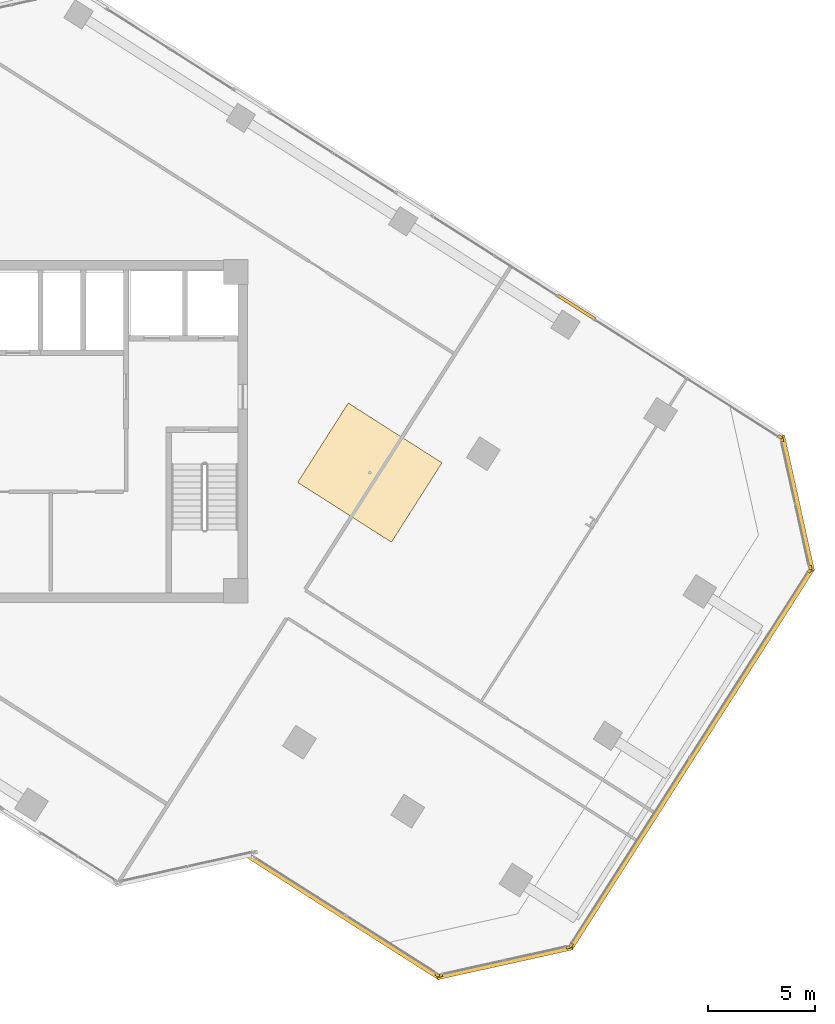
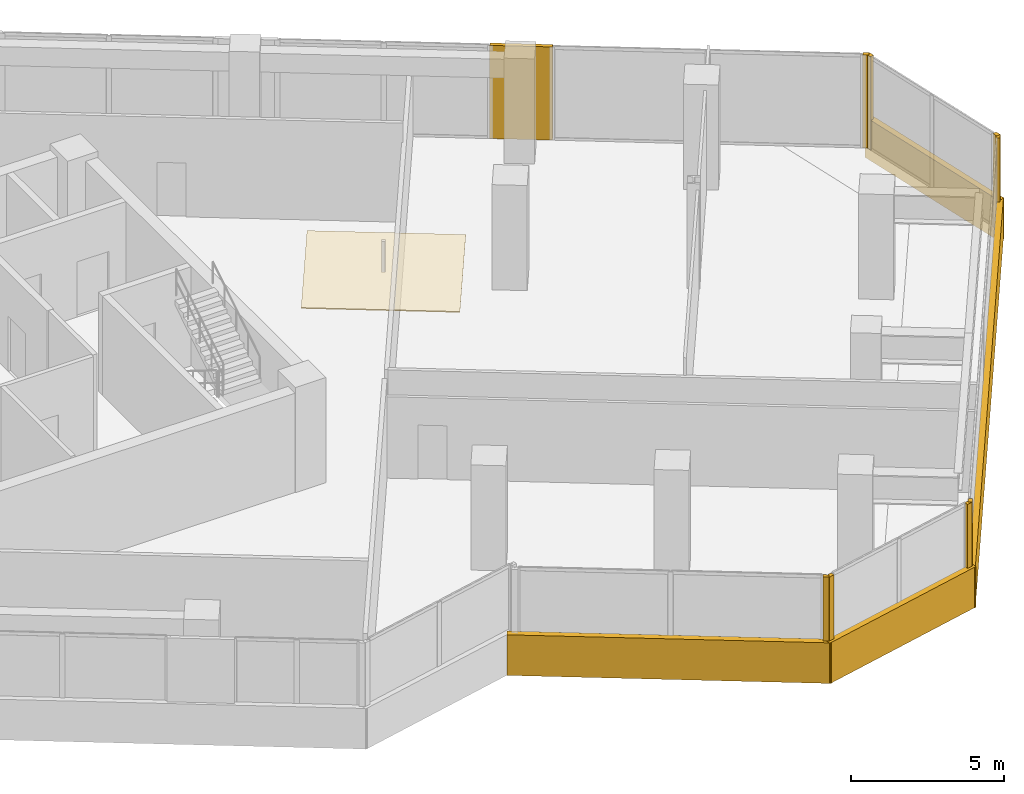
# One storey, part 22 of 23: 14 coverings.
"""IFC4 building model written with IfcOpenShell, lengths in metres."""

from ifc_helpers import new_model, si_unit, direction, frame, origin, origin_2d, place, context, subcontext, project, spatial, polyline, rectangle, outline, extrude, source, transform, mapped, material, layer, layer_set, type_object, element, save


model = new_model("IFC4")

# Units and contexts
model_context = context("Model", 3, precision=1e-05, world=origin(), true_north=direction((0.0, 1.0)))
body_context = subcontext(model_context, "Body", "Model", "MODEL_VIEW")
ifc_project = project(units=[si_unit("LENGTHUNIT", "METRE"), si_unit("AREAUNIT", "SQUARE_METRE"), si_unit("VOLUMEUNIT", "CUBIC_METRE"), si_unit("PLANEANGLEUNIT", "RADIAN"), si_unit("MASSUNIT", "GRAM", prefix="KILO")], contexts=[model_context])

# Site, building, storey
site_placement = place(None, origin())
site = spatial("IfcSite", under=ifc_project, at=site_placement, CompositionType="ELEMENT")
building_placement = place(site_placement, origin())
building = spatial("IfcBuilding", under=site, at=building_placement, Name="Torre Montelarca", CompositionType="ELEMENT")
storey_placement = place(building_placement, frame((0.0, 0.0, 187.60009765625)))
storey = spatial("IfcBuildingStorey", under=building, at=storey_placement, Name="L42", CompositionType="ELEMENT", Elevation=187.60009765625)

# Coverings
ifc_material_1 = material(Name="Perforated acoustic mineral fibre board", Category="gypsum")
ifc_layer_1 = layer(ifc_material_1, 0.0400390625, Name="Perforated acoustic mineral fibre board", Category="gypsum")
ifc_layer_set_1 = layer_set([ifc_layer_1], Name="Perforated acoustic mineral fibre board")
covering_type_1 = type_object("IfcCoveringType", Name="COV-CEIL-AC1", PredefinedType="CEILING", material=ifc_layer_set_1)
covering_1_placement = place(storey_placement, frame((0.0, 0.0, 2.719970703125)))
element("IfcCovering", 1, at=covering_1_placement, inside=storey, type_object=covering_type_1, Name="L42 Acoustic Suspended Ceiling 01", PredefinedType="CEILING", context=body_context, shape_type="SweptSolid", body=[
    extrude(outline(polyline([(29.344970703125, 29.61083984375), (33.73046875, 26.81689453125), (36.094482421875, 30.52783203125), (31.708984375, 33.32177734375), (29.344970703125, 29.61083984375)])), origin(), (0.0, 0.0, 1.0), 0.0400390625),
])
ifc_material_2 = material(Name="Bush-hammered warm white precast concrete C45/55", Category="concrete")
ifc_layer_2 = layer(ifc_material_2, 0.139892578125, Name="Bush-hammered warm white precast concrete C45/55", Category="concrete")
ifc_layer_set_2 = layer_set([ifc_layer_2], Name="Bush-hammered warm white precast concrete C45/55")
covering_type_2 = type_object("IfcCoveringType", Name="COV-TRAY-CLAD", PredefinedType="CLADDING", material=ifc_layer_set_2)
shared_shape_1 = source(origin(), body_context, "Body", "SweptSolid", [
    extrude(rectangle(XDim=6.48388671875, YDim=0.219970703125, at=origin_2d()), origin(), (0.0, 0.0, 1.0), 1.6201171875),
])
for number, where, z_axis, x_axis, name in (
    (2, (39.029296875, 7.1630859375, -0.4501953125), (0.0, 0.0, 1.0), (0.976292984958, 0.216453245581, 0.0), "L42 Architectural White Spandrel Tray Band TRYBOT-05"),
    (3, (52.70751953125, 28.6337890625, -0.4501953125), (0.0, 0.0, 1.0), (-0.21643790998, 0.976296384877, 0.0), "L42 Architectural White Spandrel Tray Band TRYBOT-07"),
):
    element("IfcCovering", number, at=place(storey_placement, frame(where, z_axis=z_axis, x_axis=x_axis)), inside=storey, type_object=covering_type_2, Name=name, PredefinedType="CLADDING", context=body_context, shape_type="MappedRepresentation", body=[
        mapped(shared_shape_1, transform((0.0, 0.0, 0.0), scale=1.0)),
    ])
shared_shape_2 = source(origin(), body_context, "Body", "SweptSolid", [
    extrude(rectangle(XDim=21.1201171875, YDim=0.219970703125, at=origin_2d()), origin(), (0.0, 0.0, 1.0), 1.6201171875),
])
covering_2_placement = place(storey_placement, frame((47.758544921875, 16.6943359375, -0.4501953125), z_axis=(0.0, 0.0, 1.0), x_axis=(0.537299608347, 0.843391445813, 0.0)))
element("IfcCovering", 4, at=covering_2_placement, inside=storey, type_object=covering_type_2, Name="L42 Architectural White Spandrel Tray Band TRYBOT-06", PredefinedType="CLADDING", context=body_context, shape_type="MappedRepresentation", body=[
    mapped(shared_shape_2, transform((0.0, 0.0, 0.0), scale=1.0)),
])
shared_shape_3 = source(origin(), body_context, "Body", "SweptSolid", [
    extrude(rectangle(XDim=0.199951171875, YDim=0.139892578125, at=origin_2d()), origin(), (0.0, 0.0, 1.0), 3.719970703125),
])
for number, where, z_axis, x_axis, name in (
    (5, (35.879638671875, 6.583251953125, 0.0), (0.0, 0.0, 1.0), (0.843384881397, -0.537309912277, 0.0), "L42 Architectural Column Pier Cladding E04-2"),
    (6, (36.022705078125, 6.55810546875, 0.0), (0.0, 0.0, 1.0), (0.976293362738, 0.216451541628, 0.0), "L42 Architectural Column Pier Cladding E05-1"),
    (7, (42.009521484375, 7.885498046875, 0.0), (0.0, 0.0, 1.0), (0.976293362738, 0.216451541628, 0.0), "L42 Architectural Column Pier Cladding E05-2"),
    (8, (42.12841796875, 7.96875, 0.0), (0.0, 0.0, 1.0), (0.537302552335, 0.843389570278, 0.0), "L42 Architectural Column Pier Cladding E06-1"),
    (9, (53.287353515625, 25.484375, 0.0), (0.0, 0.0, 1.0), (0.537302552335, 0.843389570278, 0.0), "L42 Architectural Column Pier Cladding E06-2"),
    (10, (53.3125, 25.62744140625, 0.0), (0.0, 0.0, 1.0), (-0.216436206021, 0.976296762631, 0.0), "L42 Architectural Column Pier Cladding E07-1"),
    (11, (51.9853515625, 31.6142578125, 0.0), (0.0, 0.0, 1.0), (-0.216436206021, 0.976296762631, 0.0), "L42 Architectural Column Pier Cladding E07-2"),
    (12, (51.902099609375, 31.733154296875, 0.0), (0.0, 0.0, 1.0), (-0.843390508047, 0.537301080342, 0.0), "L42 Architectural Column Pier Cladding E08-1"),
):
    element("IfcCovering", number, at=place(storey_placement, frame(where, z_axis=z_axis, x_axis=x_axis)), inside=storey, type_object=covering_type_2, Name=name, PredefinedType="CLADDING", context=body_context, shape_type="MappedRepresentation", body=[
        mapped(shared_shape_3, transform((0.0, 0.0, 0.0), scale=1.0)),
    ])
shared_shape_4 = source(origin(), body_context, "Body", "SweptSolid", [
    extrude(rectangle(XDim=2.06005859375, YDim=0.139892578125, at=origin_2d()), origin(), (0.0, 0.0, 1.0), 3.719970703125),
])
covering_3_placement = place(storey_placement, frame((42.385009765625, 37.796142578125, 0.0), z_axis=(0.0, 0.0, 1.0), x_axis=(-0.843390508047, 0.537301080342, 0.0)))
element("IfcCovering", 13, at=covering_3_placement, inside=storey, type_object=covering_type_2, Name="L42 Architectural Column Pier Cladding E08-2", PredefinedType="CLADDING", context=body_context, shape_type="MappedRepresentation", body=[
    mapped(shared_shape_4, transform((0.0, 0.0, 0.0), scale=1.0)),
])
shared_shape_5 = source(origin(), body_context, "Body", "SweptSolid", [
    extrude(rectangle(XDim=10.6201171875, YDim=0.219970703125, at=origin_2d()), origin(), (0.0, 0.0, 1.0), 1.6201171875),
])
covering_4_placement = place(storey_placement, frame((31.517333984375, 9.291259765625, -0.4501953125), z_axis=(0.0, 0.0, 1.0), x_axis=(0.843388632507, -0.537304024327, 0.0)))
element("IfcCovering", 14, at=covering_4_placement, inside=storey, type_object=covering_type_2, Name="L42 Architectural White Spandrel Tray Band TRYBOT-04", PredefinedType="CLADDING", context=body_context, shape_type="MappedRepresentation", body=[
    mapped(shared_shape_5, transform((0.0, 0.0, 0.0), scale=1.0)),
])

save(model, "model.ifc")
